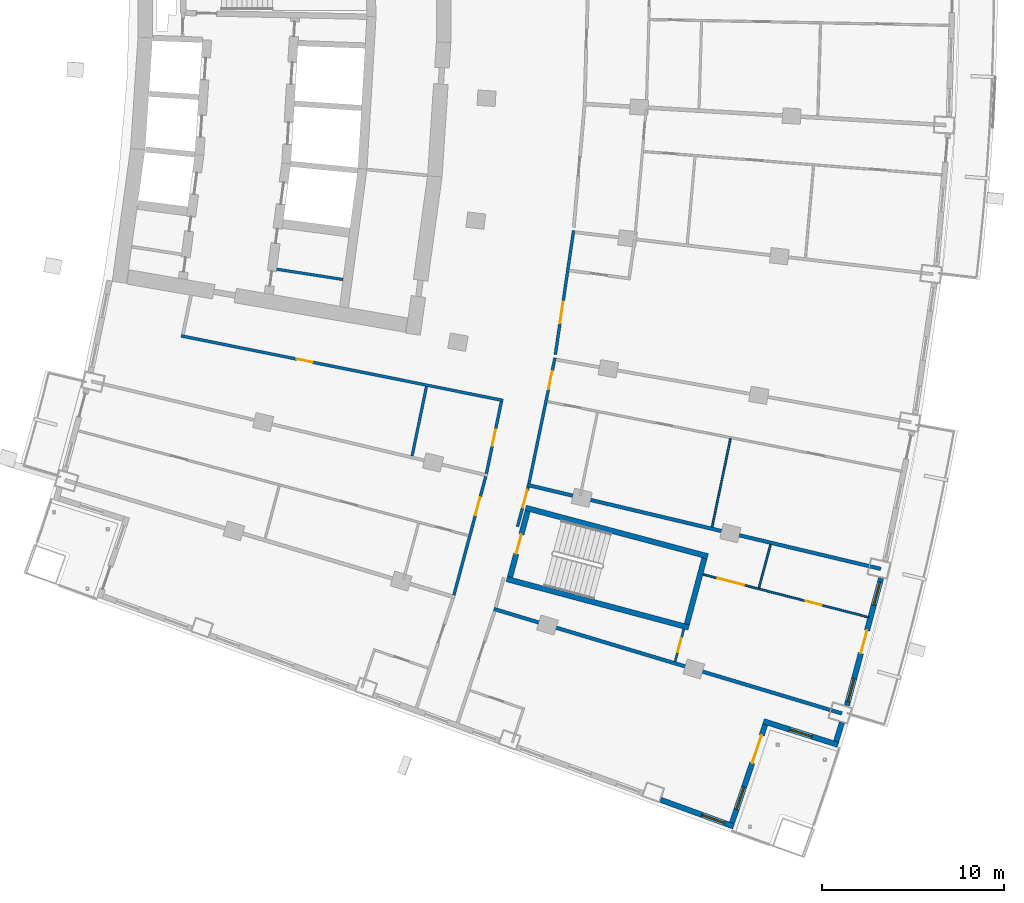
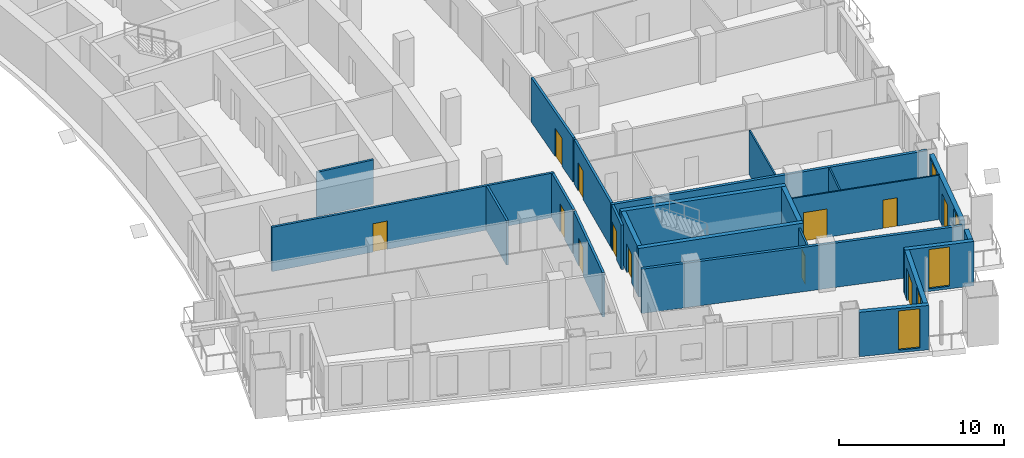
# One storey, part 14 of 25: 23 walls, 12 doors, 5 windows, 17 openings.
"""IFC4 building model written with IfcOpenShell, lengths in metres."""

from ifc_helpers import new_model, si_unit, direction, frame, frame_2d, origin, place, context, subcontext, project, spatial, rectangle, extrude, material, layer, layer_set, type_object, element, fill, save


model = new_model("IFC4")

# Units and contexts
model_context = context("Model", 3, precision=1e-05, world=origin(), true_north=direction((0.0, 1.0)))
body_context = subcontext(model_context, "Body", "Model", "MODEL_VIEW")
ifc_project = project(units=[si_unit("LENGTHUNIT", "METRE"), si_unit("AREAUNIT", "SQUARE_METRE"), si_unit("VOLUMEUNIT", "CUBIC_METRE"), si_unit("PLANEANGLEUNIT", "RADIAN"), si_unit("MASSUNIT", "GRAM", prefix="KILO")], contexts=[model_context])

# Site, building, storey
site_placement = place(None, origin())
site = spatial("IfcSite", under=ifc_project, at=site_placement, CompositionType="ELEMENT")
building_placement = place(site_placement, origin())
building = spatial("IfcBuilding", under=site, at=building_placement, Name="Alderwake Tower", CompositionType="ELEMENT")
storey_placement = place(building_placement, frame((0.0, 0.0, 111.199951171875)))
storey = spatial("IfcBuildingStorey", under=building, at=storey_placement, Name="L27", CompositionType="ELEMENT", Elevation=111.199951171875)

# Walls
ifc_material_1 = material(Name="Gypsum shaft wall system, rated")
ifc_layer_1 = layer(ifc_material_1, 0.14990234375)
ifc_layer_set_1 = layer_set([ifc_layer_1], Name="Core room partition 150")
wall_type_1 = type_object("IfcWallType", Name="Core room partition 150", PredefinedType="PARTITIONING", material=ifc_layer_set_1)
wall_1_placement = place(storey_placement, frame((24.065185546875, 44.85009765625, 0.0), z_axis=(0.0, 0.0, 1.0), x_axis=(0.988172350529, -0.153347336626, 0.0)))
element("IfcWall", 1, at=wall_1_placement, inside=storey, type_object=wall_type_1, Name="CW/L27/PR-161_+86", PredefinedType="PARTITIONING", context=body_context, shape_type="SweptSolid", body=[
    extrude(rectangle(XDim=3.69677734375, YDim=0.14990234375, at=frame_2d((1.848388671875, 0.0))), origin(), (0.0, 0.0, 1.0), 3.280029296875),
])
ifc_material_2 = material(Name="Concrete C70/85", Category="concrete")
ifc_layer_2 = layer(ifc_material_2, 0.300048828125)
ifc_layer_set_2 = layer_set([ifc_layer_2], Name="Core wall stair enclosure 300 C70-85")
wall_type_2 = type_object("IfcWallType", Name="Core wall stair enclosure 300 C70-85", PredefinedType="SHEAR", material=ifc_layer_set_2)
for number, where, z_axis, x_axis, name in (
    (2, (37.75390625, 31.731201171875, 0.0), (0.0, 0.0, 1.0), (0.966309214305, -0.257383958996, 0.0), "Core wall CW.086"),
    (3, (36.71142578125, 27.817626953125, 0.0), (0.0, 0.0, 1.0), (0.966309214305, -0.257383958996, 0.0), "Core wall CW.088"),
):
    element("IfcWall", number, at=place(storey_placement, frame(where, z_axis=z_axis, x_axis=x_axis)), inside=storey, type_object=wall_type_2, Name=name, PredefinedType="SHEAR", context=body_context, shape_type="SweptSolid", body=[
        extrude(rectangle(XDim=10.360107421875, YDim=0.300048828125, at=frame_2d((5.18017578125, 0.0))), origin(), (0.0, 0.0, 1.0), 3.60009765625),
    ])

# Wall, opening, door
wall_2_placement = place(storey_placement, frame((36.89501953125, 27.923828125, 0.0), z_axis=(0.0, 0.0, 1.0), x_axis=(0.257350630826, 0.966318090907, 0.0)))
wall_2 = element("IfcWall", 4, at=wall_2_placement, inside=storey, type_object=wall_type_2, Name="Core wall CW.087", PredefinedType="SHEAR", context=body_context, shape_type="SweptSolid", body=[
    extrude(rectangle(XDim=3.75, YDim=0.300048828125, at=frame_2d((1.875, 0.0))), origin(), (0.0, 0.0, 1.0), 3.60009765625),
])
opening_1_placement = place(wall_2_placement, frame((1.324951171875, 0.0, 0.0)))
opening_1 = element("IfcOpeningElement", 5, at=opening_1_placement, cuts=wall_2, Name="Opening C065", PredefinedType="OPENING", context=body_context, shape_type="SweptSolid", body=[
    extrude(rectangle(XDim=1.10009765625, YDim=2.10009765625, at=frame_2d((0.550048828125, 1.050048828125))), frame((0.0, 0.159912109375, 0.0), z_axis=(0.0, -1.0, 0.0), x_axis=(1.0, 0.0, 0.0)), (0.0, 0.0, 1.0), 0.320068359375),
])
ifc_material_3 = material(Name="Steel-framed fire door leaf", Category="steel")
door_type_1 = type_object("IfcDoorType", Name="Core stair door 1100 fire-rated", OperationType="SINGLE_SWING_LEFT", PredefinedType="DOOR", material=ifc_material_3)
door_1_placement = place(opening_1_placement, origin())
door_1 = element("IfcDoor", 6, at=door_1_placement, inside=storey, type_object=door_type_1, Name="Stair door", OperationType="SINGLE_SWING_LEFT", OverallHeight=2.10009765625, OverallWidth=1.10009765625, PredefinedType="DOOR", context=body_context, shape_type="SweptSolid", body=[
    extrude(rectangle(XDim=1.10009765625, YDim=2.10009765625, at=frame_2d((0.550048828125, 1.050048828125))), frame((0.0, 0.02490234375, 0.0), z_axis=(0.0, -1.0, 0.0), x_axis=(1.0, 0.0, 0.0)), (0.0, 0.0, 1.0), 0.050048828125),
])
fill(opening_1, door_1)

# Wall
wall_3_placement = place(storey_placement, frame((46.6162109375, 25.334716796875, 0.0), z_axis=(0.0, 0.0, 1.0), x_axis=(0.257366821694, 0.966313778796, 0.0)))
element("IfcWall", 7, at=wall_3_placement, inside=storey, type_object=wall_type_2, Name="Core wall CW.085", PredefinedType="SHEAR", context=body_context, shape_type="SweptSolid", body=[
    extrude(rectangle(XDim=3.749755859375, YDim=0.300048828125, at=frame_2d((1.875, 0.0))), origin(), (0.0, 0.0, 1.0), 3.60009765625),
])

# Wall, opening, door
ifc_material_4 = material(Name="Gypsum board on metal studs, rated")
ifc_layer_3 = layer(ifc_material_4, 0.159912109375)
ifc_layer_set_3 = layer_set([ifc_layer_3], Name="Corridor wall 160")
wall_type_3 = type_object("IfcWallType", Name="Corridor wall 160", PredefinedType="PARTITIONING", material=ifc_layer_set_3)
wall_4_placement = place(storey_placement, frame((36.513427734375, 37.63427734375, 0.0), z_axis=(0.0, 0.0, 1.0), x_axis=(-0.980470254867, 0.1966674333, 0.0)))
wall_4 = element("IfcWall", 8, at=wall_4_placement, inside=storey, type_object=wall_type_3, Name="WL/L27/W18", PredefinedType="PARTITIONING", context=body_context, shape_type="SweptSolid", body=[
    extrude(rectangle(XDim=18.053466796875, YDim=0.159912109375, at=frame_2d((9.02685546875, 0.0))), origin(), (0.0, 0.0, 1.0), 3.280029296875),
])
opening_2_placement = place(wall_4_placement, frame((10.6767578125, 0.0, 0.0)))
opening_2 = element("IfcOpeningElement", 9, at=opening_2_placement, cuts=wall_4, Name="Opening R07-SBS1", PredefinedType="OPENING", context=body_context, shape_type="SweptSolid", body=[
    extrude(rectangle(XDim=0.89990234375, YDim=2.10009765625, at=frame_2d((0.449951171875, 1.050048828125))), frame((0.0, 0.08984375, 0.0), z_axis=(0.0, -1.0, 0.0), x_axis=(1.0, 0.0, 0.0)), (0.0, 0.0, 1.0), 0.179931640625),
])
ifc_material_5 = material(Name="Painted timber leaf", Category="wood")
door_type_2 = type_object("IfcDoorType", Name="Room door 900", OperationType="SINGLE_SWING_LEFT", PredefinedType="DOOR", material=ifc_material_5)
door_2_placement = place(opening_2_placement, origin())
door_2 = element("IfcDoor", 10, at=door_2_placement, inside=storey, type_object=door_type_2, Name="DR/L27/SBS1", OperationType="SINGLE_SWING_LEFT", OverallHeight=2.10009765625, OverallWidth=0.89990234375, PredefinedType="DOOR", context=body_context, shape_type="SweptSolid", body=[
    extrude(rectangle(XDim=0.89990234375, YDim=2.10009765625, at=frame_2d((0.449951171875, 1.050048828125))), frame((0.0, 0.02490234375, 0.0), z_axis=(0.0, -1.0, 0.0), x_axis=(1.0, 0.0, 0.0)), (0.0, 0.0, 1.0), 0.050048828125),
])
fill(opening_2, door_2)

wall_5_placement = place(storey_placement, frame((33.808837890625, 26.9345703125, 0.0), z_axis=(0.0, 0.0, 1.0), x_axis=(0.259298911818, 0.965797118618, 0.0)))
wall_5 = element("IfcWall", 11, at=wall_5_placement, inside=storey, type_object=wall_type_3, Name="WL/L27/W23", PredefinedType="PARTITIONING", context=body_context, shape_type="SweptSolid", body=[
    extrude(rectangle(XDim=6.75, YDim=0.159912109375, at=frame_2d((3.375, 0.0))), origin(), (0.0, 0.0, 1.0), 3.280029296875),
])
opening_3_placement = place(wall_5_placement, frame((4.5576171875, 0.0, 0.0)))
opening_3 = element("IfcOpeningElement", 12, at=opening_3_placement, cuts=wall_5, Name="Opening R07-U11.2", PredefinedType="OPENING", context=body_context, shape_type="SweptSolid", body=[
    extrude(rectangle(XDim=1.0, YDim=2.10009765625, at=frame_2d((0.5, 1.050048828125))), frame((0.0, 0.08984375, 0.0), z_axis=(0.0, -1.0, 0.0), x_axis=(1.0, 0.0, 0.0)), (0.0, 0.0, 1.0), 0.179931640625),
])
ifc_material_6 = material(Name="Solid timber leaf in steel frame", Category="steel")
door_type_3 = type_object("IfcDoorType", Name="Flat entrance door 1000 fire-rated", OperationType="SINGLE_SWING_LEFT", PredefinedType="DOOR", material=ifc_material_6)
door_3_placement = place(opening_3_placement, origin())
door_3 = element("IfcDoor", 13, at=door_3_placement, inside=storey, type_object=door_type_3, Name="DR/L27/U11.2", OperationType="SINGLE_SWING_LEFT", OverallHeight=2.10009765625, OverallWidth=1.0, PredefinedType="DOOR", context=body_context, shape_type="SweptSolid", body=[
    extrude(rectangle(XDim=1.0, YDim=2.10009765625, at=frame_2d((0.5, 1.050048828125))), frame((0.0, 0.02490234375, 0.0), z_axis=(0.0, -1.0, 0.0), x_axis=(1.0, 0.0, 0.0)), (0.0, 0.0, 1.0), 0.050048828125),
])
fill(opening_3, door_3)

wall_6_placement = place(storey_placement, frame((35.59619140625, 33.609375, 0.0), z_axis=(0.0, 0.0, 1.0), x_axis=(0.203245920818, 0.979127721838, 0.0)))
wall_6 = element("IfcWall", 14, at=wall_6_placement, inside=storey, type_object=wall_type_3, Name="WL/L27/W29", PredefinedType="PARTITIONING", context=body_context, shape_type="SweptSolid", body=[
    extrude(rectangle(XDim=4.046875, YDim=0.159912109375, at=frame_2d((2.0234375, 0.0))), origin(), (0.0, 0.0, 1.0), 3.280029296875),
])
opening_4_placement = place(wall_6_placement, frame((1.573486328125, 0.0, 0.0)))
opening_4 = element("IfcOpeningElement", 15, at=opening_4_placement, cuts=wall_6, Name="Opening R07-SBS2", PredefinedType="OPENING", context=body_context, shape_type="SweptSolid", body=[
    extrude(rectangle(XDim=0.89990234375, YDim=2.10009765625, at=frame_2d((0.449951171875, 1.050048828125))), frame((0.0, 0.08984375, 0.0), z_axis=(0.0, -1.0, 0.0), x_axis=(1.0, 0.0, 0.0)), (0.0, 0.0, 1.0), 0.179931640625),
])
door_4_placement = place(opening_4_placement, origin())
door_4 = element("IfcDoor", 16, at=door_4_placement, inside=storey, type_object=door_type_2, Name="DR/L27/SBS2", OperationType="SINGLE_SWING_LEFT", OverallHeight=2.10009765625, OverallWidth=0.89990234375, PredefinedType="DOOR", context=body_context, shape_type="SweptSolid", body=[
    extrude(rectangle(XDim=0.89990234375, YDim=2.10009765625, at=frame_2d((0.449951171875, 1.050048828125))), frame((0.0, 0.02490234375, 0.0), z_axis=(0.0, -1.0, 0.0), x_axis=(1.0, 0.0, 0.0)), (0.0, 0.0, 1.0), 0.050048828125),
])
fill(opening_4, door_4)

wall_7_placement = place(storey_placement, frame((37.89111328125, 32.87939453125, 0.0), z_axis=(0.0, 0.0, 1.0), x_axis=(-0.259620578816, -0.965710699462, 0.0)))
wall_7 = element("IfcWall", 17, at=wall_7_placement, inside=storey, type_object=wall_type_3, Name="WL/L27/W32", PredefinedType="PARTITIONING", context=body_context, shape_type="SweptSolid", body=[
    extrude(rectangle(XDim=2.2578125, YDim=0.159912109375, at=frame_2d((1.12890625, 0.0))), origin(), (0.0, 0.0, 1.0), 3.280029296875),
])
opening_5_placement = place(wall_7_placement, frame((0.1708984375, 0.0, 0.0)))
opening_5 = element("IfcOpeningElement", 18, at=opening_5_placement, cuts=wall_7, Name="Opening R07-U01.1", PredefinedType="OPENING", context=body_context, shape_type="SweptSolid", body=[
    extrude(rectangle(XDim=1.0, YDim=2.10009765625, at=frame_2d((0.5, 1.050048828125))), frame((0.0, 0.08984375, 0.0), z_axis=(0.0, -1.0, 0.0), x_axis=(1.0, 0.0, 0.0)), (0.0, 0.0, 1.0), 0.179931640625),
])
door_5_placement = place(opening_5_placement, origin())
door_5 = element("IfcDoor", 19, at=door_5_placement, inside=storey, type_object=door_type_3, Name="DR/L27/U01.1", OperationType="SINGLE_SWING_LEFT", OverallHeight=2.10009765625, OverallWidth=1.0, PredefinedType="DOOR", context=body_context, shape_type="SweptSolid", body=[
    extrude(rectangle(XDim=1.0, YDim=2.10009765625, at=frame_2d((0.5, 1.050048828125))), frame((0.0, 0.02490234375, 0.0), z_axis=(0.0, -1.0, 0.0), x_axis=(1.0, 0.0, 0.0)), (0.0, 0.0, 1.0), 0.050048828125),
])
fill(opening_5, door_5)

wall_8_placement = place(storey_placement, frame((39.3642578125, 39.975341796875, 0.0), z_axis=(0.0, 0.0, 1.0), x_axis=(-0.202487611378, -0.979284824368, 0.0)))
wall_8 = element("IfcWall", 20, at=wall_8_placement, inside=storey, type_object=wall_type_3, Name="WL/L27/W33", PredefinedType="PARTITIONING", context=body_context, shape_type="SweptSolid", body=[
    extrude(rectangle(XDim=7.04736328125, YDim=0.159912109375, at=frame_2d((3.523681640625, 0.0))), origin(), (0.0, 0.0, 1.0), 3.280029296875),
])
opening_6_placement = place(wall_8_placement, frame((0.7568359375, 0.0, 0.0)))
opening_6 = element("IfcOpeningElement", 21, at=opening_6_placement, cuts=wall_8, Name="Opening R07-U05.2", PredefinedType="OPENING", context=body_context, shape_type="SweptSolid", body=[
    extrude(rectangle(XDim=1.0, YDim=2.10009765625, at=frame_2d((0.5, 1.050048828125))), frame((0.0, 0.08984375, 0.0), z_axis=(0.0, -1.0, 0.0), x_axis=(1.0, 0.0, 0.0)), (0.0, 0.0, 1.0), 0.179931640625),
])
door_6_placement = place(opening_6_placement, origin())
door_6 = element("IfcDoor", 22, at=door_6_placement, inside=storey, type_object=door_type_3, Name="DR/L27/U05.2", OperationType="SINGLE_SWING_LEFT", OverallHeight=2.10009765625, OverallWidth=1.0, PredefinedType="DOOR", context=body_context, shape_type="SweptSolid", body=[
    extrude(rectangle(XDim=1.0, YDim=2.10009765625, at=frame_2d((0.5, 1.050048828125))), frame((0.0, 0.02490234375, 0.0), z_axis=(0.0, -1.0, 0.0), x_axis=(1.0, 0.0, 0.0)), (0.0, 0.0, 1.0), 0.050048828125),
])
fill(opening_6, door_6)

wall_9_placement = place(storey_placement, frame((40.388671875, 46.97216796875, 0.0), z_axis=(0.0, 0.0, 1.0), x_axis=(-0.145535848078, -0.989352978933, 0.0)))
wall_9 = element("IfcWall", 23, at=wall_9_placement, inside=storey, type_object=wall_type_3, Name="WL/L27/W35", PredefinedType="PARTITIONING", context=body_context, shape_type="SweptSolid", body=[
    extrude(rectangle(XDim=6.884521484375, YDim=0.159912109375, at=frame_2d((3.4423828125, 0.0))), origin(), (0.0, 0.0, 1.0), 3.280029296875),
])
opening_7_placement = place(wall_9_placement, frame((3.943115234375, 0.0, 0.0)))
opening_7 = element("IfcOpeningElement", 24, at=opening_7_placement, cuts=wall_9, Name="Opening R07-AM1.1", PredefinedType="OPENING", context=body_context, shape_type="SweptSolid", body=[
    extrude(rectangle(XDim=1.199951171875, YDim=2.10009765625, at=frame_2d((0.60009765625, 1.050048828125))), frame((0.0, 0.08984375, 0.0), z_axis=(0.0, -1.0, 0.0), x_axis=(1.0, 0.0, 0.0)), (0.0, 0.0, 1.0), 0.179931640625),
])
ifc_material_7 = material(Name="Steel-framed fire door leaf", Category="steel")
door_type_4 = type_object("IfcDoorType", Name="Lobby door 1200 fire-rated", OperationType="SINGLE_SWING_LEFT", PredefinedType="DOOR", material=ifc_material_7)
door_7_placement = place(opening_7_placement, origin())
door_7 = element("IfcDoor", 25, at=door_7_placement, inside=storey, type_object=door_type_4, Name="DR/L27/AM1.1", OperationType="SINGLE_SWING_LEFT", OverallHeight=2.10009765625, OverallWidth=1.199951171875, PredefinedType="DOOR", context=body_context, shape_type="SweptSolid", body=[
    extrude(rectangle(XDim=1.199951171875, YDim=2.10009765625, at=frame_2d((0.60009765625, 1.050048828125))), frame((0.0, 0.02490234375, 0.0), z_axis=(0.0, -1.0, 0.0), x_axis=(1.0, 0.0, 0.0)), (0.0, 0.0, 1.0), 0.050048828125),
])
fill(opening_7, door_7)

# Wall
ifc_material_8 = material(Name="Precast concrete C50/60 spandrel panel", Category="concrete")
ifc_layer_4 = layer(ifc_material_8, 0.300048828125)
ifc_layer_set_4 = layer_set([ifc_layer_4], Name="External wall EW1 Precast concrete C50/60 spandrel")
wall_type_4 = type_object("IfcWallType", Name="External wall EW1 Precast concrete C50/60 spandrel", PredefinedType="SOLIDWALL", material=ifc_layer_set_4)
wall_10_placement = place(storey_placement, frame((54.824951171875, 18.89306640625, 0.0), z_axis=(0.0, 0.0, 1.0), x_axis=(0.294626445658, 0.955612503852, 0.0)))
element("IfcWall", 26, at=wall_10_placement, inside=storey, type_object=wall_type_4, Name="External wall 11", PredefinedType="SOLIDWALL", context=body_context, shape_type="SweptSolid", body=[
    extrude(rectangle(XDim=1.078857421875, YDim=0.300048828125, at=frame_2d((0.53955078125, 0.0))), origin(), (0.0, 0.0, 1.0), 3.280029296875),
])

# Wall, openings, door, windows
wall_11_placement = place(storey_placement, frame((55.413818359375, 20.865478515625, 0.0), z_axis=(0.0, 0.0, 1.0), x_axis=(0.259492183522, 0.965745207957, 0.0)))
wall_11 = element("IfcWall", 27, at=wall_11_placement, inside=storey, type_object=wall_type_4, Name="External wall 12", PredefinedType="SOLIDWALL", context=body_context, shape_type="SweptSolid", body=[
    extrude(rectangle(XDim=7.24072265625, YDim=0.300048828125, at=frame_2d((3.620361328125, 0.0))), origin(), (0.0, 0.0, 1.0), 3.280029296875),
])
opening_8_placement = place(wall_11_placement, frame((0.22900390625, 0.0, 0.199951171875)))
opening_8 = element("IfcOpeningElement", 28, at=opening_8_placement, cuts=wall_11, Name="Opening W1", PredefinedType="OPENING", context=body_context, shape_type="SweptSolid", body=[
    extrude(rectangle(XDim=1.300048828125, YDim=2.89990234375, at=frame_2d((0.64990234375, 1.449951171875))), frame((0.0, 0.159912109375, 0.0), z_axis=(0.0, -1.0, 0.0), x_axis=(1.0, 0.0, 0.0)), (0.0, 0.0, 1.0), 0.320068359375),
])
opening_9_placement = place(wall_11_placement, frame((2.97021484375, 0.0, 0.0)))
opening_9 = element("IfcOpeningElement", 29, at=opening_9_placement, cuts=wall_11, Name="Opening D03", PredefinedType="OPENING", context=body_context, shape_type="SweptSolid", body=[
    extrude(rectangle(XDim=1.300048828125, YDim=2.39990234375, at=frame_2d((0.64990234375, 1.199951171875))), frame((0.0, 0.159912109375, 0.0), z_axis=(0.0, -1.0, 0.0), x_axis=(1.0, 0.0, 0.0)), (0.0, 0.0, 1.0), 0.320068359375),
])
opening_10_placement = place(wall_11_placement, frame((5.711669921875, 0.0, 0.199951171875)))
opening_10 = element("IfcOpeningElement", 30, at=opening_10_placement, cuts=wall_11, Name="Opening W1", PredefinedType="OPENING", context=body_context, shape_type="SweptSolid", body=[
    extrude(rectangle(XDim=1.300048828125, YDim=2.89990234375, at=frame_2d((0.64990234375, 1.449951171875))), frame((0.0, 0.159912109375, 0.0), z_axis=(0.0, -1.0, 0.0), x_axis=(1.0, 0.0, 0.0)), (0.0, 0.0, 1.0), 0.320068359375),
])
ifc_material_9 = material(Name="Bronze tinted glass in aluminium frame", Category="aluminium")
door_type_5 = type_object("IfcDoorType", Name="Balcony door BD sliding", OperationType="SLIDING_TO_LEFT", PredefinedType="DOOR", material=ifc_material_9)
door_8_placement = place(opening_9_placement, origin())
door_8 = element("IfcDoor", 31, at=door_8_placement, inside=storey, type_object=door_type_5, Name="Door D03", OperationType="SLIDING_TO_LEFT", OverallHeight=2.39990234375, OverallWidth=1.300048828125, PredefinedType="DOOR", context=body_context, shape_type="SweptSolid", body=[
    extrude(rectangle(XDim=1.300048828125, YDim=2.39990234375, at=frame_2d((0.64990234375, 1.199951171875))), frame((0.0, 0.02490234375, 0.0), z_axis=(0.0, -1.0, 0.0), x_axis=(1.0, 0.0, 0.0)), (0.0, 0.0, 1.0), 0.050048828125),
])
fill(opening_9, door_8)
ifc_material_10 = material(Name="Bronze tinted glass in aluminium frame", Category="aluminium")
window_type = type_object("IfcWindowType", Name="Window W1 tall fixed and vent", PartitioningType="DOUBLE_PANEL_VERTICAL", PredefinedType="WINDOW", material=ifc_material_10)
window_1_placement = place(opening_8_placement, origin())
window_1 = element("IfcWindow", 32, at=window_1_placement, inside=storey, type_object=window_type, Name="Window W1 tall fixed and vent", OverallHeight=2.89990234375, OverallWidth=1.300048828125, PartitioningType="DOUBLE_PANEL_VERTICAL", PredefinedType="WINDOW", context=body_context, shape_type="SweptSolid", body=[
    extrude(rectangle(XDim=1.300048828125, YDim=2.89990234375, at=frame_2d((0.64990234375, 1.449951171875))), frame((0.0, 0.030029296875, 0.0), z_axis=(0.0, -1.0, 0.0), x_axis=(1.0, 0.0, 0.0)), (0.0, 0.0, 1.0), 0.06005859375),
])
fill(opening_8, window_1)
window_2_placement = place(opening_10_placement, origin())
window_2 = element("IfcWindow", 33, at=window_2_placement, inside=storey, type_object=window_type, Name="Window W1 tall fixed and vent", OverallHeight=2.89990234375, OverallWidth=1.300048828125, PartitioningType="DOUBLE_PANEL_VERTICAL", PredefinedType="WINDOW", context=body_context, shape_type="SweptSolid", body=[
    extrude(rectangle(XDim=1.300048828125, YDim=2.89990234375, at=frame_2d((0.64990234375, 1.449951171875))), frame((0.0, 0.030029296875, 0.0), z_axis=(0.0, -1.0, 0.0), x_axis=(1.0, 0.0, 0.0)), (0.0, 0.0, 1.0), 0.06005859375),
])
fill(opening_10, window_2)

# Wall, opening, window
ifc_material_11 = material(Name="Bronze metal cladding on lightweight framing")
ifc_layer_5 = layer(ifc_material_11, 0.300048828125)
ifc_layer_set_5 = layer_set([ifc_layer_5], Name="External wall EW2 bronze metal cladding")
wall_type_5 = type_object("IfcWallType", Name="External wall EW2 bronze metal cladding", PredefinedType="SOLIDWALL", material=ifc_layer_set_5)
wall_12_placement = place(storey_placement, frame((45.174560546875, 15.680419921875, 0.0), z_axis=(0.0, 0.0, 1.0), x_axis=(0.939370471817, -0.342903946722, 0.0)))
wall_12 = element("IfcWall", 34, at=wall_12_placement, inside=storey, type_object=wall_type_5, Name="External wall 8", PredefinedType="SOLIDWALL", context=body_context, shape_type="SweptSolid", body=[
    extrude(rectangle(XDim=4.271240234375, YDim=0.300048828125, at=frame_2d((2.1357421875, 0.0))), origin(), (0.0, 0.0, 1.0), 3.280029296875),
])
opening_11_placement = place(wall_12_placement, frame((2.421630859375, 0.0, 0.199951171875)))
opening_11 = element("IfcOpeningElement", 35, at=opening_11_placement, cuts=wall_12, Name="Opening W1", PredefinedType="OPENING", context=body_context, shape_type="SweptSolid", body=[
    extrude(rectangle(XDim=1.300048828125, YDim=2.89990234375, at=frame_2d((0.64990234375, 1.449951171875))), frame((0.0, 0.159912109375, 0.0), z_axis=(0.0, -1.0, 0.0), x_axis=(1.0, 0.0, 0.0)), (0.0, 0.0, 1.0), 0.320068359375),
])
window_3_placement = place(opening_11_placement, origin())
window_3 = element("IfcWindow", 36, at=window_3_placement, inside=storey, type_object=window_type, Name="Window W1 tall fixed and vent", OverallHeight=2.89990234375, OverallWidth=1.300048828125, PartitioningType="DOUBLE_PANEL_VERTICAL", PredefinedType="WINDOW", context=body_context, shape_type="SweptSolid", body=[
    extrude(rectangle(XDim=1.300048828125, YDim=2.89990234375, at=frame_2d((0.64990234375, 1.449951171875))), frame((0.0, 0.030029296875, 0.0), z_axis=(0.0, -1.0, 0.0), x_axis=(1.0, 0.0, 0.0)), (0.0, 0.0, 1.0), 0.06005859375),
])
fill(opening_11, window_3)

# Wall, openings, door, window
wall_13_placement = place(storey_placement, frame((49.093994140625, 14.4091796875, 0.0), z_axis=(0.0, 0.0, 1.0), x_axis=(0.320859050392, 0.947126955472, 0.0)))
wall_13 = element("IfcWall", 37, at=wall_13_placement, inside=storey, type_object=wall_type_5, Name="External wall 9", PredefinedType="SOLIDWALL", context=body_context, shape_type="SweptSolid", body=[
    extrude(rectangle(XDim=5.704345703125, YDim=0.300048828125, at=frame_2d((2.85205078125, 0.0))), origin(), (0.0, 0.0, 1.0), 3.280029296875),
])
opening_12_placement = place(wall_13_placement, frame((0.776123046875, 0.0, 0.199951171875)))
opening_12 = element("IfcOpeningElement", 38, at=opening_12_placement, cuts=wall_13, Name="Opening W1", PredefinedType="OPENING", context=body_context, shape_type="SweptSolid", body=[
    extrude(rectangle(XDim=1.300048828125, YDim=2.89990234375, at=frame_2d((0.64990234375, 1.449951171875))), frame((0.0, 0.159912109375, 0.0), z_axis=(0.0, -1.0, 0.0), x_axis=(1.0, 0.0, 0.0)), (0.0, 0.0, 1.0), 0.320068359375),
])
opening_13_placement = place(wall_13_placement, frame((3.478271484375, 0.0, 0.0)))
opening_13 = element("IfcOpeningElement", 39, at=opening_13_placement, cuts=wall_13, Name="Opening D02", PredefinedType="OPENING", context=body_context, shape_type="SweptSolid", body=[
    extrude(rectangle(XDim=1.60009765625, YDim=2.39990234375, at=frame_2d((0.800048828125, 1.199951171875))), frame((0.0, 0.159912109375, 0.0), z_axis=(0.0, -1.0, 0.0), x_axis=(1.0, 0.0, 0.0)), (0.0, 0.0, 1.0), 0.320068359375),
])
ifc_material_12 = material(Name="Bronze tinted glass in aluminium frame", Category="aluminium")
door_type_6 = type_object("IfcDoorType", Name="Terrace door TD sliding", OperationType="SLIDING_TO_LEFT", PredefinedType="DOOR", material=ifc_material_12)
door_9_placement = place(opening_13_placement, origin())
door_9 = element("IfcDoor", 40, at=door_9_placement, inside=storey, type_object=door_type_6, Name="Door D02", OperationType="SLIDING_TO_LEFT", OverallHeight=2.39990234375, OverallWidth=1.60009765625, PredefinedType="DOOR", context=body_context, shape_type="SweptSolid", body=[
    extrude(rectangle(XDim=1.60009765625, YDim=2.39990234375, at=frame_2d((0.800048828125, 1.199951171875))), frame((0.0, 0.02490234375, 0.0), z_axis=(0.0, -1.0, 0.0), x_axis=(1.0, 0.0, 0.0)), (0.0, 0.0, 1.0), 0.050048828125),
])
fill(opening_13, door_9)
window_4_placement = place(opening_12_placement, origin())
window_4 = element("IfcWindow", 41, at=window_4_placement, inside=storey, type_object=window_type, Name="Window W1 tall fixed and vent", OverallHeight=2.89990234375, OverallWidth=1.300048828125, PartitioningType="DOUBLE_PANEL_VERTICAL", PredefinedType="WINDOW", context=body_context, shape_type="SweptSolid", body=[
    extrude(rectangle(XDim=1.300048828125, YDim=2.89990234375, at=frame_2d((0.64990234375, 1.449951171875))), frame((0.0, 0.030029296875, 0.0), z_axis=(0.0, -1.0, 0.0), x_axis=(1.0, 0.0, 0.0)), (0.0, 0.0, 1.0), 0.06005859375),
])
fill(opening_12, window_4)

# Wall, opening, window
wall_14_placement = place(storey_placement, frame((50.829345703125, 19.999267578125, 0.0), z_axis=(0.0, 0.0, 1.0), x_axis=(0.953453695683, -0.30153946705, 0.0)))
wall_14 = element("IfcWall", 42, at=wall_14_placement, inside=storey, type_object=wall_type_5, Name="External wall 10", PredefinedType="SOLIDWALL", context=body_context, shape_type="SweptSolid", body=[
    extrude(rectangle(XDim=4.29443359375, YDim=0.300048828125, at=frame_2d((2.147216796875, 0.0))), origin(), (0.0, 0.0, 1.0), 3.280029296875),
])
opening_14_placement = place(wall_14_placement, frame((1.4970703125, 0.0, 0.199951171875)))
opening_14 = element("IfcOpeningElement", 43, at=opening_14_placement, cuts=wall_14, Name="Opening W1", PredefinedType="OPENING", context=body_context, shape_type="SweptSolid", body=[
    extrude(rectangle(XDim=1.300048828125, YDim=2.89990234375, at=frame_2d((0.64990234375, 1.449951171875))), frame((0.0, 0.159912109375, 0.0), z_axis=(0.0, -1.0, 0.0), x_axis=(1.0, 0.0, 0.0)), (0.0, 0.0, 1.0), 0.320068359375),
])
window_5_placement = place(opening_14_placement, origin())
window_5 = element("IfcWindow", 44, at=window_5_placement, inside=storey, type_object=window_type, Name="Window W1 tall fixed and vent", OverallHeight=2.89990234375, OverallWidth=1.300048828125, PartitioningType="DOUBLE_PANEL_VERTICAL", PredefinedType="WINDOW", context=body_context, shape_type="SweptSolid", body=[
    extrude(rectangle(XDim=1.300048828125, YDim=2.89990234375, at=frame_2d((0.64990234375, 1.449951171875))), frame((0.0, 0.030029296875, 0.0), z_axis=(0.0, -1.0, 0.0), x_axis=(1.0, 0.0, 0.0)), (0.0, 0.0, 1.0), 0.06005859375),
])
fill(opening_14, window_5)

# Walls
ifc_material_13 = material(Name="Dense block masonry wall", Category="masonry")
ifc_layer_6 = layer(ifc_material_13, 0.199951171875)
ifc_layer_set_6 = layer_set([ifc_layer_6], Name="Party wall 200")
wall_type_6 = type_object("IfcWallType", Name="Party wall 200", PredefinedType="SOLIDWALL", material=ifc_layer_set_6)
wall_15_placement = place(storey_placement, frame((36.00439453125, 26.1708984375, 0.0), z_axis=(0.0, 0.0, 1.0), x_axis=(0.957781542148, -0.287496986975, 0.0)))
element("IfcWall", 45, at=wall_15_placement, inside=storey, type_object=wall_type_6, Name="WL/L27/W05", PredefinedType="SOLIDWALL", context=body_context, shape_type="SweptSolid", body=[
    extrude(rectangle(XDim=19.97900390625, YDim=0.199951171875, at=frame_2d((9.989501953125, 0.0))), origin(), (0.0, 0.0, 1.0), 3.280029296875),
])
wall_16_placement = place(storey_placement, frame((37.839111328125, 32.994384765625, 0.0), z_axis=(0.0, 0.0, 1.0), x_axis=(0.97289006666, -0.231268065662, 0.0)))
element("IfcWall", 46, at=wall_16_placement, inside=storey, type_object=wall_type_6, Name="WL/L27/W06", PredefinedType="SOLIDWALL", context=body_context, shape_type="SweptSolid", body=[
    extrude(rectangle(XDim=19.978271484375, YDim=0.199951171875, at=frame_2d((9.9892578125, 0.0))), origin(), (0.0, 0.0, 1.0), 3.280029296875),
])
ifc_material_14 = material(Name="Gypsum shaft wall system, rated")
ifc_layer_7 = layer(ifc_material_14, 0.14990234375)
ifc_layer_set_7 = layer_set([ifc_layer_7], Name="Riser and shaft wall 150")
wall_type_7 = type_object("IfcWallType", Name="Riser and shaft wall 150", PredefinedType="PARTITIONING", material=ifc_layer_set_7)
wall_17_placement = place(storey_placement, frame((31.51025390625, 34.581298828125, 0.0), z_axis=(0.0, 0.0, 1.0), x_axis=(0.202642899892, 0.979252702383, 0.0)))
element("IfcWall", 47, at=wall_17_placement, inside=storey, type_object=wall_type_7, Name="WL/L27/W12", PredefinedType="PARTITIONING", context=body_context, shape_type="SweptSolid", body=[
    extrude(rectangle(XDim=3.896240234375, YDim=0.14990234375, at=frame_2d((1.9482421875, 0.0))), origin(), (0.0, 0.0, 1.0), 3.280029296875),
])

# Wall, openings, doors
ifc_material_15 = material(Name="Gypsum board on metal studs")
ifc_layer_8 = layer(ifc_material_15, 0.10009765625)
ifc_layer_set_8 = layer_set([ifc_layer_8], Name="Unit partition 100")
wall_type_8 = type_object("IfcWallType", Name="Unit partition 100", PredefinedType="PARTITIONING", material=ifc_layer_set_8)
wall_18_placement = place(storey_placement, frame((56.613037109375, 25.712890625, 0.0), z_axis=(0.0, 0.0, 1.0), x_axis=(-0.9681944797, 0.250198819899, 0.0)))
wall_18 = element("IfcWall", 48, at=wall_18_placement, inside=storey, type_object=wall_type_8, Name="WL/L27/W80", PredefinedType="PARTITIONING", context=body_context, shape_type="SweptSolid", body=[
    extrude(rectangle(XDim=9.413330078125, YDim=0.10009765625, at=frame_2d((4.70654296875, 0.0))), origin(), (0.0, 0.0, 1.0), 3.280029296875),
])
opening_15_placement = place(wall_18_placement, frame((7.081298828125, 0.0, 0.0)))
opening_15 = element("IfcOpeningElement", 49, at=opening_15_placement, cuts=wall_18, Name="Opening R07-U01.2", PredefinedType="OPENING", context=body_context, shape_type="SweptSolid", body=[
    extrude(rectangle(XDim=1.5, YDim=2.10009765625, at=frame_2d((0.75, 1.050048828125))), frame((0.0, 0.06005859375, 0.0), z_axis=(0.0, -1.0, 0.0), x_axis=(1.0, 0.0, 0.0)), (0.0, 0.0, 1.0), 0.1201171875),
])
opening_16_placement = place(wall_18_placement, frame((2.6748046875, 0.0, 0.0)))
opening_16 = element("IfcOpeningElement", 50, at=opening_16_placement, cuts=wall_18, Name="Opening R07-U01.3", PredefinedType="OPENING", context=body_context, shape_type="SweptSolid", body=[
    extrude(rectangle(XDim=0.89990234375, YDim=2.10009765625, at=frame_2d((0.449951171875, 1.050048828125))), frame((0.0, 0.06005859375, 0.0), z_axis=(0.0, -1.0, 0.0), x_axis=(1.0, 0.0, 0.0)), (0.0, 0.0, 1.0), 0.1201171875),
])
ifc_material_16 = material(Name="Painted timber leaves", Category="wood")
door_type_7 = type_object("IfcDoorType", Name="Double leaf door 1500", OperationType="DOUBLE_DOOR_SINGLE_SWING", PredefinedType="DOOR", material=ifc_material_16)
door_10_placement = place(opening_15_placement, origin())
door_10 = element("IfcDoor", 51, at=door_10_placement, inside=storey, type_object=door_type_7, Name="DR/L27/U01.2", OperationType="DOUBLE_DOOR_SINGLE_SWING", OverallHeight=2.10009765625, OverallWidth=1.5, PredefinedType="DOOR", context=body_context, shape_type="SweptSolid", body=[
    extrude(rectangle(XDim=1.5, YDim=2.10009765625, at=frame_2d((0.75, 1.050048828125))), frame((0.0, 0.02490234375, 0.0), z_axis=(0.0, -1.0, 0.0), x_axis=(1.0, 0.0, 0.0)), (0.0, 0.0, 1.0), 0.050048828125),
])
fill(opening_15, door_10)
door_11_placement = place(opening_16_placement, origin())
door_11 = element("IfcDoor", 52, at=door_11_placement, inside=storey, type_object=door_type_2, Name="DR/L27/U01.3", OperationType="SINGLE_SWING_LEFT", OverallHeight=2.10009765625, OverallWidth=0.89990234375, PredefinedType="DOOR", context=body_context, shape_type="SweptSolid", body=[
    extrude(rectangle(XDim=0.89990234375, YDim=2.10009765625, at=frame_2d((0.449951171875, 1.050048828125))), frame((0.0, 0.02490234375, 0.0), z_axis=(0.0, -1.0, 0.0), x_axis=(1.0, 0.0, 0.0)), (0.0, 0.0, 1.0), 0.050048828125),
])
fill(opening_16, door_11)

# Walls
wall_19_placement = place(storey_placement, frame((48.00537109375, 30.679931640625, 0.0), z_axis=(0.0, 0.0, 1.0), x_axis=(0.202880316238, 0.979203542316, 0.0)))
element("IfcWall", 53, at=wall_19_placement, inside=storey, type_object=wall_type_8, Name="WL/L27/W82", PredefinedType="PARTITIONING", context=body_context, shape_type="SweptSolid", body=[
    extrude(rectangle(XDim=4.96630859375, YDim=0.10009765625, at=frame_2d((2.483154296875, 0.0))), origin(), (0.0, 0.0, 1.0), 3.280029296875),
])
wall_20_placement = place(storey_placement, frame((50.574951171875, 27.32421875, 0.0), z_axis=(0.0, 0.0, 1.0), x_axis=(0.259739710308, 0.965678664406, 0.0)))
element("IfcWall", 54, at=wall_20_placement, inside=storey, type_object=wall_type_8, Name="WL/L27/W84", PredefinedType="PARTITIONING", context=body_context, shape_type="SweptSolid", body=[
    extrude(rectangle(XDim=2.47216796875, YDim=0.10009765625, at=frame_2d((1.236083984375, 0.0))), origin(), (0.0, 0.0, 1.0), 3.280029296875),
])

# Wall, opening, door
ifc_material_17 = material(Name="Moisture resistant gypsum board on metal studs")
ifc_layer_9 = layer(ifc_material_17, 0.1201171875)
ifc_layer_set_9 = layer_set([ifc_layer_9], Name="Wet room partition 120")
wall_type_9 = type_object("IfcWallType", Name="Wet room partition 120", PredefinedType="PARTITIONING", material=ifc_layer_set_9)
wall_21_placement = place(storey_placement, frame((45.970947265625, 23.28369140625, 0.0), z_axis=(0.0, 0.0, 1.0), x_axis=(0.258764710752, 0.965940383497, 0.0)))
wall_21 = element("IfcWall", 55, at=wall_21_placement, inside=storey, type_object=wall_type_9, Name="WL/L27/W62", PredefinedType="PARTITIONING", context=body_context, shape_type="SweptSolid", body=[
    extrude(rectangle(XDim=1.847412109375, YDim=0.1201171875, at=frame_2d((0.923828125, 0.0))), origin(), (0.0, 0.0, 1.0), 3.280029296875),
])
opening_17_placement = place(wall_21_placement, frame((0.523681640625, 0.0, 0.0)))
opening_17 = element("IfcOpeningElement", 56, at=opening_17_placement, cuts=wall_21, Name="Opening R07-U01.4", PredefinedType="OPENING", context=body_context, shape_type="SweptSolid", body=[
    extrude(rectangle(XDim=0.800048828125, YDim=2.10009765625, at=frame_2d((0.39990234375, 1.050048828125))), frame((0.0, 0.070068359375, 0.0), z_axis=(0.0, -1.0, 0.0), x_axis=(1.0, 0.0, 0.0)), (0.0, 0.0, 1.0), 0.14013671875),
])
ifc_material_18 = material(Name="Painted timber leaf", Category="wood")
door_type_8 = type_object("IfcDoorType", Name="Bathroom door 800", OperationType="SINGLE_SWING_LEFT", PredefinedType="DOOR", material=ifc_material_18)
door_12_placement = place(opening_17_placement, origin())
door_12 = element("IfcDoor", 57, at=door_12_placement, inside=storey, type_object=door_type_8, Name="DR/L27/U01.4", OperationType="SINGLE_SWING_LEFT", OverallHeight=2.10009765625, OverallWidth=0.800048828125, PredefinedType="DOOR", context=body_context, shape_type="SweptSolid", body=[
    extrude(rectangle(XDim=0.800048828125, YDim=2.10009765625, at=frame_2d((0.39990234375, 1.050048828125))), frame((0.0, 0.02490234375, 0.0), z_axis=(0.0, -1.0, 0.0), x_axis=(1.0, 0.0, 0.0)), (0.0, 0.0, 1.0), 0.050048828125),
])
fill(opening_17, door_12)

save(model, "model.ifc")
